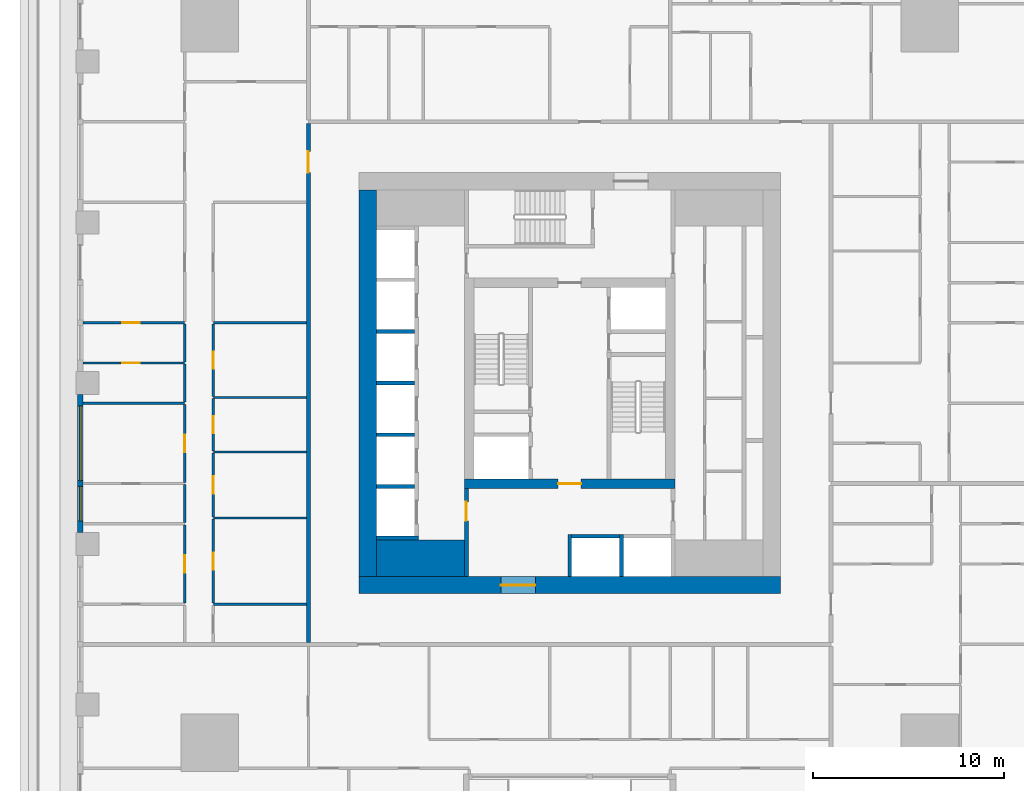
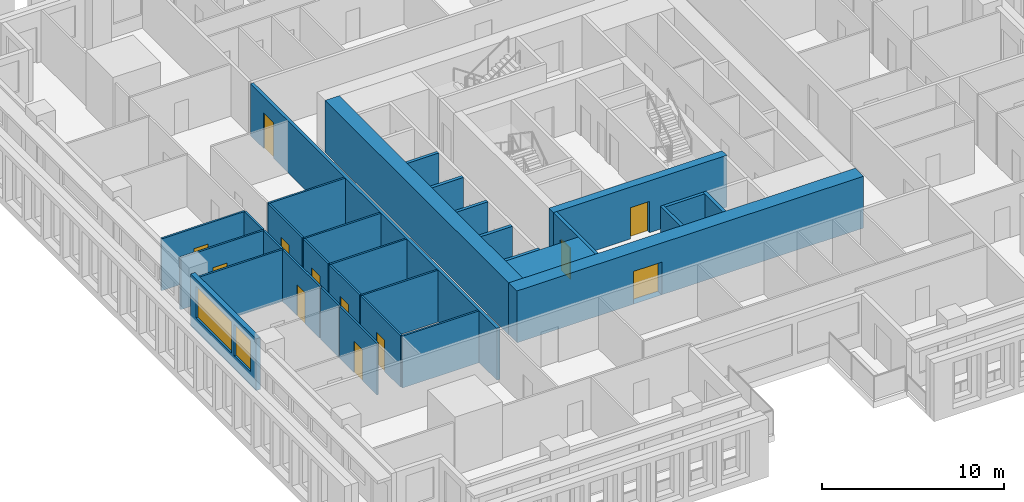
# One storey, part 3 of 15: 32 walls, 12 doors, 2 windows, 14 openings.
"""IFC4 building model written with IfcOpenShell, lengths in metres."""

import ifcopenshell
import ifcopenshell.guid

model = None  # the IFC model being written
_history = None  # IfcOwnerHistory: only IFC2X3 demands one
_inside = {}  # id of a spatial element -> (the spatial element, [elements in it])
_under = {}  # id of a project, library or spatial element -> (it, [spatial elements below it])
_declared = {}  # id of a project -> (the project, [libraries it declares])
_typed = {}  # id of a type object -> (the type object, [elements of that type])
_made_of = {}  # id of a material, layer set ... -> (it, [elements and type objects made of it])


def new_model(schema):
    """Start an empty IFC model of exactly this schema.

    Asked for "IFC4X3", IfcOpenShell would pick the latest addendum, in which some entities
    have other attributes; the version numbers below select the first issue.
    IFC2X3 requires an IfcOwnerHistory on every rooted entity: one is made here for all.
    """
    global model, _history
    if schema == "IFC4X3":
        model = ifcopenshell.file(schema_version=(4, 3, 0, 0))
    else:
        model = ifcopenshell.file(schema=schema)
    _inside.clear()
    _under.clear()
    _declared.clear()
    _typed.clear()
    _made_of.clear()
    _history = None
    if model.schema == "IFC2X3":
        org = make("IfcOrganization", Name="unknown")
        user = make(
            "IfcPersonAndOrganization",
            ThePerson=make("IfcPerson", FamilyName="unknown"),
            TheOrganization=org,
        )
        app = make(
            "IfcApplication",
            ApplicationDeveloper=org,
            Version="unknown",
            ApplicationFullName="unknown",
            ApplicationIdentifier="unknown",
        )
        _history = make(
            "IfcOwnerHistory",
            OwningUser=user,
            OwningApplication=app,
            ChangeAction="ADDED",
            CreationDate=0,
        )
    return model


def make(cls, **values):
    """One entity of the class cls with the attributes given. An attribute that is None is left unset."""
    return model.create_entity(
        cls, **{name: value for name, value in values.items() if value is not None}
    )


def rooted(cls, **values):
    """An entity with a GlobalId (a new one), such as an element, a storey or a relation."""
    return make(cls, GlobalId=ifcopenshell.guid.new(), OwnerHistory=_history, **values)


def si_unit(unit_type, name, prefix=None):
    """IfcSIUnit, for example si_unit("LENGTHUNIT", "METRE", prefix="MILLI")."""
    return make("IfcSIUnit", UnitType=unit_type, Prefix=prefix, Name=name)


def assignment(units):
    """IfcUnitAssignment: the units of a project."""
    return None if units is None else make("IfcUnitAssignment", Units=units)


def point(xyz):
    """IfcCartesianPoint."""
    return None if xyz is None else make("IfcCartesianPoint", Coordinates=xyz)


def direction(xyz):
    """IfcDirection."""
    return None if xyz is None else make("IfcDirection", DirectionRatios=xyz)


def frame(location, z_axis=None, x_axis=None):
    """IfcAxis2Placement3D, a coordinate frame: its origin and axes. An axis left out is left unset."""
    return make(
        "IfcAxis2Placement3D",
        Location=point(location),
        Axis=direction(z_axis),
        RefDirection=direction(x_axis),
    )


def frame_2d(location, x_axis=None):
    """IfcAxis2Placement2D, a coordinate frame in the plane: its origin and x axis."""
    return make(
        "IfcAxis2Placement2D", Location=point(location), RefDirection=direction(x_axis)
    )


def origin():
    """The frame at (0, 0, 0) with its axes left unset."""
    return frame((0.0, 0.0, 0.0))


def place(relative_to, where):
    """IfcLocalPlacement: puts the frame where relative to a parent placement (None: the world)."""
    return make(
        "IfcLocalPlacement", PlacementRelTo=relative_to, RelativePlacement=where
    )


def context(
    kind, dimensions, precision=None, world=None, true_north=None, identifier=None
):
    """IfcGeometricRepresentationContext, for example the 3D "Model" context."""
    return make(
        "IfcGeometricRepresentationContext",
        ContextIdentifier=identifier,
        ContextType=kind,
        CoordinateSpaceDimension=dimensions,
        Precision=precision,
        WorldCoordinateSystem=world,
        TrueNorth=true_north,
    )


def subcontext(parent, identifier, kind, view, scale=None):
    """IfcGeometricRepresentationSubContext, for example "Body" below "Model"."""
    return make(
        "IfcGeometricRepresentationSubContext",
        ContextIdentifier=identifier,
        ContextType=kind,
        ParentContext=parent,
        TargetScale=scale,
        TargetView=view,
    )


def project(units=None, contexts=None):
    """IfcProject with its units and contexts."""
    return rooted(
        "IfcProject",
        Name="project",
        RepresentationContexts=contexts,
        UnitsInContext=assignment(units),
    )


def spatial(cls, under=None, at=None, **own):
    """A site, building, storey or space (cls), placed at a placement, below another one or the project."""
    s = rooted(cls, ObjectPlacement=at, **own)
    if under is not None:
        _under.setdefault(under.id(), (under, []))[1].append(s)
    return s


def profile(cls, at=None, kind="AREA", **sizes):
    """A parametric profile (cls). Its sizes go by their IFC names, for example OverallWidth=200.0."""
    return make(cls, ProfileType=kind, Position=at, **sizes)


def rectangle(**sizes):
    """IfcRectangleProfileDef."""
    return profile("IfcRectangleProfileDef", **sizes)


def extrude(swept, where, along, depth):
    """IfcExtrudedAreaSolid: the profile swept, set in the frame where, extruded along a direction by depth."""
    return make(
        "IfcExtrudedAreaSolid",
        SweptArea=swept,
        Position=where,
        ExtrudedDirection=direction(along),
        Depth=depth,
    )


def shape(context_of_items, identifier, shape_type, items):
    """IfcShapeRepresentation: the items that make up one representation, for example the "Body"."""
    return make(
        "IfcShapeRepresentation",
        ContextOfItems=context_of_items,
        RepresentationIdentifier=identifier,
        RepresentationType=shape_type,
        Items=items,
    )


def material(Name=None, Category=None):
    """IfcMaterial."""
    return make("IfcMaterial", Name=Name, Category=Category)


def layer(
    of_material, thickness, ventilated=None, Name=None, Category=None, Priority=None
):
    """IfcMaterialLayer: one layer of a wall or slab, of a material (None: an air gap)."""
    return make(
        "IfcMaterialLayer",
        Material=of_material,
        LayerThickness=thickness,
        IsVentilated=ventilated,
        Name=Name,
        Category=Category,
        Priority=Priority,
    )


def layer_set(layers, Name=None):
    """IfcMaterialLayerSet."""
    return make("IfcMaterialLayerSet", MaterialLayers=layers, LayerSetName=Name)


def made_of(thing, what):
    """Note that an element or type object is made of a material, layer set ...; save() writes the relation."""
    if what is not None:
        _made_of.setdefault(what.id(), (what, []))[1].append(thing)
    return thing


def type_object(cls, material=None, **own):
    """A type object (cls), such as IfcWallType, which elements share."""
    return made_of(rooted(cls, **own), material)


def element(
    cls,
    number,
    at=None,
    inside=None,
    cuts=None,
    type_object=None,
    material=None,
    context=None,
    identifier="Body",
    shape_type=None,
    held_by="IfcProductDefinitionShape",
    body=None,
    shapes=None,
    **own,
):
    """One element of the class cls, such as IfcWall. Its Tag is "e" and its number.

    at: its placement. inside: the storey or other place that contains it. cuts: it is an
    opening in that element (IfcRelVoidsElement). A single representation is given by context,
    identifier, shape_type and body (its items); several are given by shapes. held_by: the class
    of the entity that holds the representations. save() writes the other relations.
    """
    e = rooted(cls, Tag="e%d" % number, ObjectPlacement=at, **own)
    if body is not None:
        shapes = [shape(context, identifier, shape_type, body)]
    if shapes is not None:
        e.Representation = make(held_by, Representations=shapes)
    if inside is not None:
        _inside.setdefault(inside.id(), (inside, []))[1].append(e)
    if cuts is not None:
        rooted(
            "IfcRelVoidsElement", RelatingBuildingElement=cuts, RelatedOpeningElement=e
        )
    if type_object is not None:
        _typed.setdefault(type_object.id(), (type_object, []))[1].append(e)
    return made_of(e, material)


def fill(opening, filler):
    """IfcRelFillsElement: the door or window that sits in an opening."""
    return rooted(
        "IfcRelFillsElement",
        RelatingOpeningElement=opening,
        RelatedBuildingElement=filler,
    )


def aggregate(whole, parts):
    """IfcRelAggregates: a whole, such as a stair, and the parts it consists of."""
    return rooted("IfcRelAggregates", RelatingObject=whole, RelatedObjects=parts)


def save(model, path):
    """Write the relations noted so far, then the file.

    IfcRelAggregates (storeys below a building ...), IfcRelContainedInSpatialStructure (elements
    in a storey), IfcRelDefinesByType, IfcRelAssociatesMaterial and IfcRelDeclares: one each for
    every whole, place, type object, material and project.
    """
    for whole, parts in _under.values():
        aggregate(whole, parts)
    for where, things in _inside.values():
        rooted(
            "IfcRelContainedInSpatialStructure",
            RelatedElements=things,
            RelatingStructure=where,
        )
    for kind, things in _typed.values():
        rooted("IfcRelDefinesByType", RelatedObjects=things, RelatingType=kind)
    for what, things in _made_of.values():
        rooted("IfcRelAssociatesMaterial", RelatedObjects=things, RelatingMaterial=what)
    for by, libraries in _declared.values():
        rooted("IfcRelDeclares", RelatingContext=by, RelatedDefinitions=libraries)
    model.write(path)


model = new_model("IFC4")

# Units and contexts
model_context = context("Model", 3, precision=1e-05, world=origin(), true_north=direction((0.0, 1.0)))
body_context = subcontext(model_context, "Body", "Model", "MODEL_VIEW")
ifc_project = project(units=[si_unit("LENGTHUNIT", "METRE"), si_unit("AREAUNIT", "SQUARE_METRE"), si_unit("VOLUMEUNIT", "CUBIC_METRE"), si_unit("PLANEANGLEUNIT", "RADIAN"), si_unit("MASSUNIT", "GRAM", prefix="KILO")], contexts=[model_context])

# Site, building, storey
site_placement = place(None, origin())
site = spatial("IfcSite", under=ifc_project, at=site_placement, CompositionType="ELEMENT")
building_placement = place(site_placement, origin())
building = spatial("IfcBuilding", under=site, at=building_placement, Name="Khepri Terraces", CompositionType="ELEMENT")
storey_placement = place(building_placement, frame((0.0, 0.0, 34.800048828125)))
storey = spatial("IfcBuildingStorey", under=building, at=storey_placement, Name="L07", CompositionType="ELEMENT", Elevation=34.800048828125)

# Walls
ifc_material_1 = material(Name="Concrete C80/95", Category="concrete")
ifc_layer_1 = layer(ifc_material_1, 1.89990234375, Name="Concrete C80/95", Category="concrete")
ifc_layer_set_1 = layer_set([ifc_layer_1], Name="Concrete C80/95")
wall_type_1 = type_object("IfcWallType", Name="Core wall 1900 C80/95", PredefinedType="SHEAR", material=ifc_layer_set_1)
wall_1_placement = place(storey_placement, frame((-10.10009765625, -9.14990234375, 0.0), z_axis=(0.0, 0.0, 1.0), x_axis=(1.0, 0.0, 0.0)))
element("IfcWall", 1, at=wall_1_placement, inside=storey, type_object=wall_type_1, Name="Core wall PR01 L07", PredefinedType="SHEAR", context=body_context, shape_type="SweptSolid", body=[
    extrude(rectangle(XDim=4.60009765625, YDim=1.89990234375, at=frame_2d((2.300048828125, 0.0))), origin(), (0.0, 0.0, 1.0), 3.47998046875),
])
ifc_layer_2 = layer(ifc_material_1, 0.199951171875, Name="Concrete C80/95", Category="concrete")
ifc_layer_set_2 = layer_set([ifc_layer_2], Name="Concrete C80/95")
wall_type_2 = type_object("IfcWallType", Name="Core wall 200 C80/95", PredefinedType="SHEAR", material=ifc_layer_set_2)
for number, where, z_axis, x_axis, name in (
    (2, (0.0, -10.10009765625, 0.0), (0.0, 0.0, 1.0), (0.0, 1.0, 0.0), "Core wall SH01 L07"),
    (3, (2.699951171875, -10.10009765625, 0.0), (0.0, 0.0, 1.0), (0.0, 1.0, 0.0), "Core wall SH02 L07"),
    (4, (-10.10009765625, -8.10009765625, 0.0), (0.0, 0.0, 1.0), (1.0, 0.0, 0.0), "Core wall SH04 L07"),
):
    element("IfcWall", number, at=place(storey_placement, frame(where, z_axis=z_axis, x_axis=x_axis)), inside=storey, type_object=wall_type_2, Name=name, PredefinedType="SHEAR", context=body_context, shape_type="SweptSolid", body=[
        extrude(rectangle(XDim=2.2001953125, YDim=0.199951171875, at=frame_2d((1.10009765625, 0.0))), origin(), (0.0, 0.0, 1.0), 3.47998046875),
    ])
wall_2_placement = place(storey_placement, frame((0.10009765625, -8.0, 0.0), z_axis=(0.0, 0.0, 1.0), x_axis=(1.0, 0.0, 0.0)))
element("IfcWall", 5, at=wall_2_placement, inside=storey, type_object=wall_type_2, Name="Core wall SH06 L07", PredefinedType="SHEAR", context=body_context, shape_type="SweptSolid", body=[
    extrude(rectangle(XDim=2.5, YDim=0.199951171875, at=frame_2d((1.25, 0.0))), origin(), (0.0, 0.0, 1.0), 3.47998046875),
])
for number, where, z_axis, x_axis, name in (
    (6, (-10.10009765625, -5.39990234375, 0.0), (0.0, 0.0, 1.0), (1.0, 0.0, 0.0), "Core wall SH09 L07"),
    (7, (-10.10009765625, -2.699951171875, 0.0), (0.0, 0.0, 1.0), (1.0, 0.0, 0.0), "Core wall SH12 L07"),
    (8, (-10.10009765625, 0.0, 0.0), (0.0, 0.0, 1.0), (1.0, 0.0, 0.0), "Core wall SH14 L07"),
    (9, (-10.10009765625, 2.699951171875, 0.0), (0.0, 0.0, 1.0), (1.0, 0.0, 0.0), "Core wall SH17 L07"),
):
    element("IfcWall", number, at=place(storey_placement, frame(where, z_axis=z_axis, x_axis=x_axis)), inside=storey, type_object=wall_type_2, Name=name, PredefinedType="SHEAR", context=body_context, shape_type="SweptSolid", body=[
        extrude(rectangle(XDim=2.0, YDim=0.199951171875, at=frame_2d((1.0, 0.0))), origin(), (0.0, 0.0, 1.0), 3.47998046875),
    ])

# Wall, opening, door
ifc_layer_3 = layer(ifc_material_1, 0.5, Name="Concrete C80/95", Category="concrete")
ifc_layer_set_3 = layer_set([ifc_layer_3], Name="Concrete C80/95")
wall_type_3 = type_object("IfcWallType", Name="Core wall 500 C80/95", PredefinedType="SHEAR", material=ifc_layer_set_3)
wall_3_placement = place(storey_placement, frame((-5.5, -5.25, 0.0), z_axis=(0.0, 0.0, 1.0), x_axis=(1.0, 0.0, 0.0)))
wall_3 = element("IfcWall", 10, at=wall_3_placement, inside=storey, type_object=wall_type_3, Name="Core wall BX01 L07", PredefinedType="SHEAR", context=body_context, shape_type="SweptSolid", body=[
    extrude(rectangle(XDim=11.0, YDim=0.5, at=frame_2d((5.5, 0.0))), origin(), (0.0, 0.0, 1.0), 3.47998046875),
])
opening_1_placement = place(wall_3_placement, frame((4.89990234375, 0.0, 0.0)))
opening_1 = element("IfcOpeningElement", 11, at=opening_1_placement, cuts=wall_3, Name="Opening L07-C14", PredefinedType="OPENING", context=body_context, shape_type="SweptSolid", body=[
    extrude(rectangle(XDim=1.199951171875, YDim=2.10009765625, at=frame_2d((0.60009765625, 1.050048828125))), frame((0.0, 0.260009765625, 0.0), z_axis=(0.0, -1.0, 0.0), x_axis=(1.0, 0.0, 0.0)), (0.0, 0.0, 1.0), 0.52001953125),
])
ifc_material_2 = material(Name="Painted steel", Category="steel")
door_type_1 = type_object("IfcDoorType", Name="DR-CORE-FF-LOBBY-1200", OperationType="NOTDEFINED", PredefinedType="DOOR", material=ifc_material_2)
door_1_placement = place(opening_1_placement, origin())
door_1 = element("IfcDoor", 12, at=door_1_placement, inside=storey, type_object=door_type_1, Name="Firefighting lobby door L07-C14", OperationType="SINGLE_SWING_RIGHT", OverallHeight=2.10009765625, OverallWidth=1.199951171875, PredefinedType="DOOR", context=body_context, shape_type="SweptSolid", body=[
    extrude(rectangle(XDim=1.199951171875, YDim=2.10009765625, at=frame_2d((0.60009765625, 1.050048828125))), frame((0.0, 0.02490234375, 0.0), z_axis=(0.0, -1.0, 0.0), x_axis=(1.0, 0.0, 0.0)), (0.0, 0.0, 1.0), 0.050048828125),
])
fill(opening_1, door_1)

ifc_layer_4 = layer(ifc_material_1, 0.89990234375, Name="Concrete C80/95", Category="concrete")
ifc_layer_set_4 = layer_set([ifc_layer_4], Name="Concrete C80/95")
wall_type_4 = type_object("IfcWallType", Name="Core wall 900 C80/95", PredefinedType="SHEAR", material=ifc_layer_set_4)
wall_4_placement = place(storey_placement, frame((-11.0, -10.550048828125, 0.0), z_axis=(0.0, 0.0, 1.0), x_axis=(1.0, 0.0, 0.0)))
wall_4 = element("IfcWall", 13, at=wall_4_placement, inside=storey, type_object=wall_type_4, Name="Core wall OW-S L07", PredefinedType="SHEAR", context=body_context, shape_type="SweptSolid", body=[
    extrude(rectangle(XDim=22.0, YDim=0.89990234375, at=frame_2d((11.0, 0.0))), origin(), (0.0, 0.0, 1.0), 3.47998046875),
])
opening_2_placement = place(wall_4_placement, frame((7.39990234375, 0.0, 0.0)))
opening_2 = element("IfcOpeningElement", 14, at=opening_2_placement, cuts=wall_4, Name="Opening L07-C21", PredefinedType="OPENING", context=body_context, shape_type="SweptSolid", body=[
    extrude(rectangle(XDim=1.800048828125, YDim=2.199951171875, at=frame_2d((0.89990234375, 1.10009765625))), frame((0.0, 0.4599609375, 0.0), z_axis=(0.0, -1.0, 0.0), x_axis=(1.0, 0.0, 0.0)), (0.0, 0.0, 1.0), 0.919921875),
])
door_type_2 = type_object("IfcDoorType", Name="DR-CORE-ENTRANCE-1800", OperationType="NOTDEFINED", PredefinedType="DOOR", material=ifc_material_2)
door_2_placement = place(opening_2_placement, frame((1.800048828125, 0.0, 0.0), z_axis=(0.0, 0.0, 1.0), x_axis=(-1.0, 0.0, 0.0)))
door_2 = element("IfcDoor", 15, at=door_2_placement, inside=storey, type_object=door_type_2, Name="Core entrance door pair L07-C21", OperationType="DOUBLE_DOOR_SINGLE_SWING", OverallHeight=2.199951171875, OverallWidth=1.800048828125, PredefinedType="DOOR", context=body_context, shape_type="SweptSolid", body=[
    extrude(rectangle(XDim=1.800048828125, YDim=2.199951171875, at=frame_2d((0.89990234375, 1.10009765625))), frame((0.0, 0.02490234375, 0.0), z_axis=(0.0, -1.0, 0.0), x_axis=(1.0, 0.0, 0.0)), (0.0, 0.0, 1.0), 0.050048828125),
])
fill(opening_2, door_2)

# Wall
wall_5_placement = place(storey_placement, frame((-10.550048828125, -10.10009765625, 0.0), z_axis=(0.0, 0.0, 1.0), x_axis=(0.0, 1.0, 0.0)))
element("IfcWall", 16, at=wall_5_placement, inside=storey, type_object=wall_type_4, Name="Core wall OW-W L07", PredefinedType="SHEAR", context=body_context, shape_type="SweptSolid", body=[
    extrude(rectangle(XDim=20.2001953125, YDim=0.89990234375, at=frame_2d((10.10009765625, 0.0))), origin(), (0.0, 0.0, 1.0), 3.47998046875),
])

# Wall, opening, door
ifc_material_3 = material(Name="Fire-rated gypsum board partition")
ifc_layer_5 = layer(ifc_material_3, 0.199951171875, Name="Fire-rated gypsum board partition")
ifc_layer_set_5 = layer_set([ifc_layer_5], Name="Fire-rated gypsum board partition")
wall_type_5 = type_object("IfcWallType", Name="WL-CORE-PART-200", PredefinedType="PARTITIONING", material=ifc_layer_set_5)
wall_6_placement = place(storey_placement, frame((-5.39990234375, -10.10009765625, 0.0), z_axis=(0.0, 0.0, 1.0), x_axis=(0.0, 1.0, 0.0)))
wall_6 = element("IfcWall", 17, at=wall_6_placement, inside=storey, type_object=wall_type_5, Name="Core partition PT01 L07", PredefinedType="PARTITIONING", context=body_context, shape_type="SweptSolid", body=[
    extrude(rectangle(XDim=4.60009765625, YDim=0.199951171875, at=frame_2d((2.300048828125, 0.0))), origin(), (0.0, 0.0, 1.0), 3.47998046875),
])
opening_3_placement = place(wall_6_placement, frame((2.89990234375, 0.0, 0.0)))
opening_3 = element("IfcOpeningElement", 18, at=opening_3_placement, cuts=wall_6, Name="Opening L07-C18", PredefinedType="OPENING", context=body_context, shape_type="SweptSolid", body=[
    extrude(rectangle(XDim=1.0, YDim=2.10009765625, at=frame_2d((0.5, 1.050048828125))), frame((0.0, 0.10986328125, 0.0), z_axis=(0.0, -1.0, 0.0), x_axis=(1.0, 0.0, 0.0)), (0.0, 0.0, 1.0), 0.219970703125),
])
door_type_3 = type_object("IfcDoorType", Name="DR-CORE-LOBBY-1000", OperationType="NOTDEFINED", PredefinedType="DOOR", material=ifc_material_2)
door_3_placement = place(opening_3_placement, frame((1.0, 0.0, 0.0), z_axis=(0.0, 0.0, 1.0), x_axis=(-1.0, 0.0, 0.0)))
door_3 = element("IfcDoor", 19, at=door_3_placement, inside=storey, type_object=door_type_3, Name="Lobby door L07-C18", OperationType="SINGLE_SWING_LEFT", OverallHeight=2.10009765625, OverallWidth=1.0, PredefinedType="DOOR", context=body_context, shape_type="SweptSolid", body=[
    extrude(rectangle(XDim=1.0, YDim=2.10009765625, at=frame_2d((0.5, 1.050048828125))), frame((0.0, 0.02490234375, 0.0), z_axis=(0.0, -1.0, 0.0), x_axis=(1.0, 0.0, 0.0)), (0.0, 0.0, 1.0), 0.050048828125),
])
fill(opening_3, door_3)

ifc_material_4 = material(Name="Fire-rated gypsum plasterboard partition, mineral wool")
ifc_layer_6 = layer(ifc_material_4, 0.199951171875, Name="Fire-rated gypsum plasterboard partition, mineral wool")
ifc_layer_set_6 = layer_set([ifc_layer_6], Name="Fire-rated gypsum plasterboard partition, mineral wool")
wall_type_6 = type_object("IfcWallType", Name="WL-CORR-200", PredefinedType="PARTITIONING", material=ifc_layer_set_6)
wall_7_placement = place(storey_placement, frame((-13.64990234375, -13.550048828125, 0.0), z_axis=(0.0, 0.0, 1.0), x_axis=(0.0, 1.0, 0.0)))
wall_7 = element("IfcWall", 20, at=wall_7_placement, inside=storey, type_object=wall_type_6, Name="Partition P-024 L07", PredefinedType="PARTITIONING", context=body_context, shape_type="SweptSolid", body=[
    extrude(rectangle(XDim=27.10009765625, YDim=0.199951171875, at=frame_2d((13.550048828125, 0.0))), origin(), (0.0, 0.0, 1.0), 3.47998046875),
])
opening_4_placement = place(wall_7_placement, frame((24.550048828125, 0.0, 0.0)))
opening_4 = element("IfcOpeningElement", 21, at=opening_4_placement, cuts=wall_7, Name="Opening D1", PredefinedType="OPENING", context=body_context, shape_type="SweptSolid", body=[
    extrude(rectangle(XDim=1.10009765625, YDim=2.39990234375, at=frame_2d((0.550048828125, 1.199951171875))), frame((0.0, 0.10986328125, 0.0), z_axis=(0.0, -1.0, 0.0), x_axis=(1.0, 0.0, 0.0)), (0.0, 0.0, 1.0), 0.219970703125),
])
ifc_material_5 = material(Name="Solid-core timber door leaf, flat entrance door", Category="wood")
door_type_4 = type_object("IfcDoorType", Name="DR-ENT-1100", OperationType="NOTDEFINED", PredefinedType="DOOR", material=ifc_material_5)
door_4_placement = place(opening_4_placement, origin())
door_4 = element("IfcDoor", 22, at=door_4_placement, inside=storey, type_object=door_type_4, Name="Flat D1 entrance door", OperationType="SINGLE_SWING_RIGHT", OverallHeight=2.39990234375, OverallWidth=1.10009765625, PredefinedType="DOOR", context=body_context, shape_type="SweptSolid", body=[
    extrude(rectangle(XDim=1.10009765625, YDim=2.39990234375, at=frame_2d((0.550048828125, 1.199951171875))), frame((0.0, 0.02490234375, 0.0), z_axis=(0.0, -1.0, 0.0), x_axis=(1.0, 0.0, 0.0)), (0.0, 0.0, 1.0), 0.050048828125),
])
fill(opening_4, door_4)

# Wall, openings, windows
ifc_material_6 = material(Name="Precast concrete C50/60 warm stone", Category="masonry")
ifc_layer_7 = layer(ifc_material_6, 0.300048828125, Name="Precast concrete C50/60 warm stone", Category="masonry")
ifc_layer_set_7 = layer_set([ifc_layer_7], Name="Precast concrete C50/60 warm stone")
wall_type_7 = type_object("IfcWallType", Name="WL-EXT-PRECAST-300", PredefinedType="STANDARD", material=ifc_layer_set_7)
wall_8_placement = place(storey_placement, frame((-25.570068359375, -0.60009765625, 0.0), z_axis=(0.0, 0.0, 1.0), x_axis=(0.0, -1.0, 0.0)))
wall_8 = element("IfcWall", 23, at=wall_8_placement, inside=storey, type_object=wall_type_7, Name="External wall L07 W", PredefinedType="STANDARD", context=body_context, shape_type="SweptSolid", body=[
    extrude(rectangle(XDim=7.199951171875, YDim=0.300048828125, at=frame_2d((3.60009765625, 0.0))), origin(), (0.0, 0.0, 1.0), 3.47998046875),
])
opening_5_placement = place(wall_8_placement, frame((0.60009765625, 0.0, 0.89990234375)))
opening_5 = element("IfcOpeningElement", 24, at=opening_5_placement, cuts=wall_8, Name="Opening W2", PredefinedType="OPENING", context=body_context, shape_type="SweptSolid", body=[
    extrude(rectangle(XDim=3.89990234375, YDim=2.10009765625, at=frame_2d((1.949951171875, 1.050048828125))), frame((0.0, 0.16015625, 0.0), z_axis=(0.0, -1.0, 0.0), x_axis=(1.0, 0.0, 0.0)), (0.0, 0.0, 1.0), 0.320068359375),
])
opening_6_placement = place(wall_8_placement, frame((4.800048828125, 0.0, 0.89990234375)))
opening_6 = element("IfcOpeningElement", 25, at=opening_6_placement, cuts=wall_8, Name="Opening W1", PredefinedType="OPENING", context=body_context, shape_type="SweptSolid", body=[
    extrude(rectangle(XDim=1.800048828125, YDim=2.10009765625, at=frame_2d((0.89990234375, 1.050048828125))), frame((0.0, 0.16015625, 0.0), z_axis=(0.0, -1.0, 0.0), x_axis=(1.0, 0.0, 0.0)), (0.0, 0.0, 1.0), 0.320068359375),
])
ifc_material_7 = material(Name="Clear glass", Category="glass")
window_type_1 = type_object("IfcWindowType", Name="WIN-RES-1800x2100", PartitioningType="SINGLE_PANEL", PredefinedType="WINDOW", material=ifc_material_7)
window_1_placement = place(opening_6_placement, origin())
window_1 = element("IfcWindow", 26, at=window_1_placement, inside=storey, type_object=window_type_1, Name="Window L07 W", OverallHeight=2.10009765625, OverallWidth=1.800048828125, PartitioningType="SINGLE_PANEL", PredefinedType="WINDOW", context=body_context, shape_type="SweptSolid", body=[
    extrude(rectangle(XDim=1.800048828125, YDim=2.10009765625, at=frame_2d((0.89990234375, 1.050048828125))), frame((0.0, 0.030029296875, 0.0), z_axis=(0.0, -1.0, 0.0), x_axis=(1.0, 0.0, 0.0)), (0.0, 0.0, 1.0), 0.06005859375),
])
fill(opening_6, window_1)
window_type_2 = type_object("IfcWindowType", Name="WIN-RES-3900x2100", PartitioningType="SINGLE_PANEL", PredefinedType="WINDOW", material=ifc_material_7)
window_2_placement = place(opening_5_placement, origin())
window_2 = element("IfcWindow", 27, at=window_2_placement, inside=storey, type_object=window_type_2, Name="Window L07 W", OverallHeight=2.10009765625, OverallWidth=3.89990234375, PartitioningType="SINGLE_PANEL", PredefinedType="WINDOW", context=body_context, shape_type="SweptSolid", body=[
    extrude(rectangle(XDim=3.89990234375, YDim=2.10009765625, at=frame_2d((1.949951171875, 1.050048828125))), frame((0.0, 0.030029296875, 0.0), z_axis=(0.0, -1.0, 0.0), x_axis=(1.0, 0.0, 0.0)), (0.0, 0.0, 1.0), 0.06005859375),
])
fill(opening_5, window_2)

# Wall
ifc_material_8 = material(Name="Gypsum plasterboard partition")
ifc_layer_8 = layer(ifc_material_8, 0.1201171875, Name="Gypsum plasterboard partition")
ifc_layer_set_8 = layer_set([ifc_layer_8], Name="Gypsum plasterboard partition")
wall_type_8 = type_object("IfcWallType", Name="WL-PART-120", PredefinedType="PARTITIONING", material=ifc_layer_set_8)
wall_9_placement = place(storey_placement, frame((-18.6201171875, -11.550048828125, 0.0), z_axis=(0.0, 0.0, 1.0), x_axis=(1.0, 0.0, 0.0)))
element("IfcWall", 28, at=wall_9_placement, inside=storey, type_object=wall_type_8, Name="Partition P-027 L07", PredefinedType="PARTITIONING", context=body_context, shape_type="SweptSolid", body=[
    extrude(rectangle(XDim=4.8701171875, YDim=0.1201171875, at=frame_2d((2.43505859375, 0.0))), origin(), (0.0, 0.0, 1.0), 3.47998046875),
])

# Wall, opening, door
wall_10_placement = place(storey_placement, frame((-20.1201171875, -11.489990234375, 0.0), z_axis=(0.0, 0.0, 1.0), x_axis=(0.0, 1.0, 0.0)))
wall_10 = element("IfcWall", 29, at=wall_10_placement, inside=storey, type_object=wall_type_8, Name="Partition P-028 L07", PredefinedType="PARTITIONING", context=body_context, shape_type="SweptSolid", body=[
    extrude(rectangle(XDim=4.080078125, YDim=0.1201171875, at=frame_2d((2.0400390625, 0.0))), origin(), (0.0, 0.0, 1.0), 3.47998046875),
])
opening_7_placement = place(wall_10_placement, frame((1.590087890625, 0.0, 0.0)))
opening_7 = element("IfcOpeningElement", 30, at=opening_7_placement, cuts=wall_10, Name="Opening D3", PredefinedType="OPENING", context=body_context, shape_type="SweptSolid", body=[
    extrude(rectangle(XDim=0.89990234375, YDim=2.10009765625, at=frame_2d((0.449951171875, 1.050048828125))), frame((0.0, 0.070068359375, 0.0), z_axis=(0.0, -1.0, 0.0), x_axis=(1.0, 0.0, 0.0)), (0.0, 0.0, 1.0), 0.14013671875),
])
ifc_material_9 = material(Name="Timber door leaf", Category="wood")
door_type_5 = type_object("IfcDoorType", Name="DR-INT-900", OperationType="NOTDEFINED", PredefinedType="DOOR", material=ifc_material_9)
door_5_placement = place(opening_7_placement, origin())
door_5 = element("IfcDoor", 31, at=door_5_placement, inside=storey, type_object=door_type_5, Name="Door Bedroom", OperationType="SINGLE_SWING_RIGHT", OverallHeight=2.10009765625, OverallWidth=0.89990234375, PredefinedType="DOOR", context=body_context, shape_type="SweptSolid", body=[
    extrude(rectangle(XDim=0.89990234375, YDim=2.10009765625, at=frame_2d((0.449951171875, 1.050048828125))), frame((0.0, 0.02490234375, 0.0), z_axis=(0.0, -1.0, 0.0), x_axis=(1.0, 0.0, 0.0)), (0.0, 0.0, 1.0), 0.050048828125),
])
fill(opening_7, door_5)

wall_11_placement = place(storey_placement, frame((-18.6201171875, -11.489990234375, 0.0), z_axis=(0.0, 0.0, 1.0), x_axis=(0.0, 1.0, 0.0)))
wall_11 = element("IfcWall", 32, at=wall_11_placement, inside=storey, type_object=wall_type_8, Name="Partition P-029 L07", PredefinedType="PARTITIONING", context=body_context, shape_type="SweptSolid", body=[
    extrude(rectangle(XDim=4.3798828125, YDim=0.1201171875, at=frame_2d((2.18994140625, 0.0))), origin(), (0.0, 0.0, 1.0), 3.47998046875),
])
opening_8_placement = place(wall_11_placement, frame((1.739990234375, 0.0, 0.0)))
opening_8 = element("IfcOpeningElement", 33, at=opening_8_placement, cuts=wall_11, Name="Opening D4", PredefinedType="OPENING", context=body_context, shape_type="SweptSolid", body=[
    extrude(rectangle(XDim=0.89990234375, YDim=2.10009765625, at=frame_2d((0.449951171875, 1.050048828125))), frame((0.0, 0.070068359375, 0.0), z_axis=(0.0, -1.0, 0.0), x_axis=(1.0, 0.0, 0.0)), (0.0, 0.0, 1.0), 0.14013671875),
])
ifc_material_10 = material(Name="Timber door leaf, moisture resistant", Category="wood")
door_type_6 = type_object("IfcDoorType", Name="DR-WET-900", OperationType="NOTDEFINED", PredefinedType="DOOR", material=ifc_material_10)
door_6_placement = place(opening_8_placement, frame((0.89990234375, 0.0, 0.0), z_axis=(0.0, 0.0, 1.0), x_axis=(-1.0, 0.0, 0.0)))
door_6 = element("IfcDoor", 34, at=door_6_placement, inside=storey, type_object=door_type_6, Name="Door Guest Bathroom", OperationType="SINGLE_SWING_RIGHT", OverallHeight=2.10009765625, OverallWidth=0.89990234375, PredefinedType="DOOR", context=body_context, shape_type="SweptSolid", body=[
    extrude(rectangle(XDim=0.89990234375, YDim=2.10009765625, at=frame_2d((0.449951171875, 1.050048828125))), frame((0.0, 0.02490234375, 0.0), z_axis=(0.0, -1.0, 0.0), x_axis=(1.0, 0.0, 0.0)), (0.0, 0.0, 1.0), 0.050048828125),
])
fill(opening_8, door_6)

# Walls
wall_12_placement = place(storey_placement, frame((-20.1201171875, -7.2900390625, 0.0), z_axis=(0.0, 0.0, 1.0), x_axis=(0.0, 1.0, 0.0)))
element("IfcWall", 35, at=wall_12_placement, inside=storey, type_object=wall_type_8, Name="Partition P-037 L07", PredefinedType="PARTITIONING", context=body_context, shape_type="SweptSolid", body=[
    extrude(rectangle(XDim=1.97998046875, YDim=0.1201171875, at=frame_2d((0.989990234375, 0.0))), origin(), (0.0, 0.0, 1.0), 3.47998046875),
])
wall_13_placement = place(storey_placement, frame((-18.6201171875, -7.050048828125, 0.0), z_axis=(0.0, 0.0, 1.0), x_axis=(1.0, 0.0, 0.0)))
element("IfcWall", 36, at=wall_13_placement, inside=storey, type_object=wall_type_8, Name="Partition P-040 L07", PredefinedType="PARTITIONING", context=body_context, shape_type="SweptSolid", body=[
    extrude(rectangle(XDim=4.8701171875, YDim=0.1201171875, at=frame_2d((2.43505859375, 0.0))), origin(), (0.0, 0.0, 1.0), 3.47998046875),
])

# Wall, opening, door
wall_14_placement = place(storey_placement, frame((-18.6201171875, -6.989990234375, 0.0), z_axis=(0.0, 0.0, 1.0), x_axis=(0.0, 1.0, 0.0)))
wall_14 = element("IfcWall", 37, at=wall_14_placement, inside=storey, type_object=wall_type_8, Name="Partition P-041 L07", PredefinedType="PARTITIONING", context=body_context, shape_type="SweptSolid", body=[
    extrude(rectangle(XDim=3.330078125, YDim=0.1201171875, at=frame_2d((1.6650390625, 0.0))), origin(), (0.0, 0.0, 1.0), 3.47998046875),
])
opening_9_placement = place(wall_14_placement, frame((1.215087890625, 0.0, 0.0)))
opening_9 = element("IfcOpeningElement", 38, at=opening_9_placement, cuts=wall_14, Name="Opening D3", PredefinedType="OPENING", context=body_context, shape_type="SweptSolid", body=[
    extrude(rectangle(XDim=0.89990234375, YDim=2.10009765625, at=frame_2d((0.449951171875, 1.050048828125))), frame((0.0, 0.070068359375, 0.0), z_axis=(0.0, -1.0, 0.0), x_axis=(1.0, 0.0, 0.0)), (0.0, 0.0, 1.0), 0.14013671875),
])
door_7_placement = place(opening_9_placement, frame((0.89990234375, 0.0, 0.0), z_axis=(0.0, 0.0, 1.0), x_axis=(-1.0, 0.0, 0.0)))
door_7 = element("IfcDoor", 39, at=door_7_placement, inside=storey, type_object=door_type_5, Name="Door Utility Room", OperationType="SINGLE_SWING_LEFT", OverallHeight=2.10009765625, OverallWidth=0.89990234375, PredefinedType="DOOR", context=body_context, shape_type="SweptSolid", body=[
    extrude(rectangle(XDim=0.89990234375, YDim=2.10009765625, at=frame_2d((0.449951171875, 1.050048828125))), frame((0.0, 0.02490234375, 0.0), z_axis=(0.0, -1.0, 0.0), x_axis=(1.0, 0.0, 0.0)), (0.0, 0.0, 1.0), 0.050048828125),
])
fill(opening_9, door_7)

wall_15_placement = place(storey_placement, frame((-20.1201171875, -5.18994140625, 0.0), z_axis=(0.0, 0.0, 1.0), x_axis=(0.0, 1.0, 0.0)))
wall_15 = element("IfcWall", 40, at=wall_15_placement, inside=storey, type_object=wall_type_8, Name="Partition P-044 L07", PredefinedType="PARTITIONING", context=body_context, shape_type="SweptSolid", body=[
    extrude(rectangle(XDim=4.079833984375, YDim=0.1201171875, at=frame_2d((2.0400390625, 0.0))), origin(), (0.0, 0.0, 1.0), 3.47998046875),
])
opening_10_placement = place(wall_15_placement, frame((1.590087890625, 0.0, 0.0)))
opening_10 = element("IfcOpeningElement", 41, at=opening_10_placement, cuts=wall_15, Name="Opening D3", PredefinedType="OPENING", context=body_context, shape_type="SweptSolid", body=[
    extrude(rectangle(XDim=0.89990234375, YDim=2.10009765625, at=frame_2d((0.449951171875, 1.050048828125))), frame((0.0, 0.070068359375, 0.0), z_axis=(0.0, -1.0, 0.0), x_axis=(1.0, 0.0, 0.0)), (0.0, 0.0, 1.0), 0.14013671875),
])
door_8_placement = place(opening_10_placement, origin())
door_8 = element("IfcDoor", 42, at=door_8_placement, inside=storey, type_object=door_type_5, Name="Door Bedroom", OperationType="SINGLE_SWING_RIGHT", OverallHeight=2.10009765625, OverallWidth=0.89990234375, PredefinedType="DOOR", context=body_context, shape_type="SweptSolid", body=[
    extrude(rectangle(XDim=0.89990234375, YDim=2.10009765625, at=frame_2d((0.449951171875, 1.050048828125))), frame((0.0, 0.02490234375, 0.0), z_axis=(0.0, -1.0, 0.0), x_axis=(1.0, 0.0, 0.0)), (0.0, 0.0, 1.0), 0.050048828125),
])
fill(opening_10, door_8)

# Wall
wall_16_placement = place(storey_placement, frame((-18.6201171875, -3.60009765625, 0.0), z_axis=(0.0, 0.0, 1.0), x_axis=(1.0, 0.0, 0.0)))
element("IfcWall", 43, at=wall_16_placement, inside=storey, type_object=wall_type_8, Name="Partition P-048 L07", PredefinedType="PARTITIONING", context=body_context, shape_type="SweptSolid", body=[
    extrude(rectangle(XDim=4.8701171875, YDim=0.1201171875, at=frame_2d((2.43505859375, 0.0))), origin(), (0.0, 0.0, 1.0), 3.47998046875),
])

# Wall, opening, door
wall_17_placement = place(storey_placement, frame((-18.6201171875, -3.5400390625, 0.0), z_axis=(0.0, 0.0, 1.0), x_axis=(0.0, 1.0, 0.0)))
wall_17 = element("IfcWall", 44, at=wall_17_placement, inside=storey, type_object=wall_type_8, Name="Partition P-049 L07", PredefinedType="PARTITIONING", context=body_context, shape_type="SweptSolid", body=[
    extrude(rectangle(XDim=2.72998046875, YDim=0.1201171875, at=frame_2d((1.364990234375, 0.0))), origin(), (0.0, 0.0, 1.0), 3.47998046875),
])
opening_11_placement = place(wall_17_placement, frame((0.9150390625, 0.0, 0.0)))
opening_11 = element("IfcOpeningElement", 45, at=opening_11_placement, cuts=wall_17, Name="Opening D4", PredefinedType="OPENING", context=body_context, shape_type="SweptSolid", body=[
    extrude(rectangle(XDim=0.89990234375, YDim=2.10009765625, at=frame_2d((0.449951171875, 1.050048828125))), frame((0.0, 0.070068359375, 0.0), z_axis=(0.0, -1.0, 0.0), x_axis=(1.0, 0.0, 0.0)), (0.0, 0.0, 1.0), 0.14013671875),
])
door_9_placement = place(opening_11_placement, frame((0.89990234375, 0.0, 0.0), z_axis=(0.0, 0.0, 1.0), x_axis=(-1.0, 0.0, 0.0)))
door_9 = element("IfcDoor", 46, at=door_9_placement, inside=storey, type_object=door_type_6, Name="Door Powder Room", OperationType="SINGLE_SWING_LEFT", OverallHeight=2.10009765625, OverallWidth=0.89990234375, PredefinedType="DOOR", context=body_context, shape_type="SweptSolid", body=[
    extrude(rectangle(XDim=0.89990234375, YDim=2.10009765625, at=frame_2d((0.449951171875, 1.050048828125))), frame((0.0, 0.02490234375, 0.0), z_axis=(0.0, -1.0, 0.0), x_axis=(1.0, 0.0, 0.0)), (0.0, 0.0, 1.0), 0.050048828125),
])
fill(opening_11, door_9)

# Walls
wall_18_placement = place(storey_placement, frame((-25.419921875, -1.050048828125, 0.0), z_axis=(0.0, 0.0, 1.0), x_axis=(1.0, 0.0, 0.0)))
element("IfcWall", 47, at=wall_18_placement, inside=storey, type_object=wall_type_8, Name="Partition P-051 L07", PredefinedType="PARTITIONING", context=body_context, shape_type="SweptSolid", body=[
    extrude(rectangle(XDim=5.2998046875, YDim=0.1201171875, at=frame_2d((2.64990234375, 0.0))), origin(), (0.0, 0.0, 1.0), 3.47998046875),
])
wall_19_placement = place(storey_placement, frame((-20.1201171875, -0.989990234375, 0.0), z_axis=(0.0, 0.0, 1.0), x_axis=(0.0, 1.0, 0.0)))
element("IfcWall", 48, at=wall_19_placement, inside=storey, type_object=wall_type_8, Name="Partition P-053 L07", PredefinedType="PARTITIONING", context=body_context, shape_type="SweptSolid", body=[
    extrude(rectangle(XDim=1.97998046875, YDim=0.1201171875, at=frame_2d((0.989990234375, 0.0))), origin(), (0.0, 0.0, 1.0), 3.47998046875),
])
wall_20_placement = place(storey_placement, frame((-18.6201171875, -0.75, 0.0), z_axis=(0.0, 0.0, 1.0), x_axis=(1.0, 0.0, 0.0)))
element("IfcWall", 49, at=wall_20_placement, inside=storey, type_object=wall_type_8, Name="Partition P-055 L07", PredefinedType="PARTITIONING", context=body_context, shape_type="SweptSolid", body=[
    extrude(rectangle(XDim=4.8701171875, YDim=0.1201171875, at=frame_2d((2.43505859375, 0.0))), origin(), (0.0, 0.0, 1.0), 3.47998046875),
])

# Wall, opening, door
wall_21_placement = place(storey_placement, frame((-18.6201171875, -0.68994140625, 0.0), z_axis=(0.0, 0.0, 1.0), x_axis=(0.0, 1.0, 0.0)))
wall_21 = element("IfcWall", 50, at=wall_21_placement, inside=storey, type_object=wall_type_8, Name="Partition P-056 L07", PredefinedType="PARTITIONING", context=body_context, shape_type="SweptSolid", body=[
    extrude(rectangle(XDim=3.780029296875, YDim=0.1201171875, at=frame_2d((1.89013671875, 0.0))), origin(), (0.0, 0.0, 1.0), 3.47998046875),
])
opening_12_placement = place(wall_21_placement, frame((1.43994140625, 0.0, 0.0)))
opening_12 = element("IfcOpeningElement", 51, at=opening_12_placement, cuts=wall_21, Name="Opening D3", PredefinedType="OPENING", context=body_context, shape_type="SweptSolid", body=[
    extrude(rectangle(XDim=0.89990234375, YDim=2.10009765625, at=frame_2d((0.449951171875, 1.050048828125))), frame((0.0, 0.070068359375, 0.0), z_axis=(0.0, -1.0, 0.0), x_axis=(1.0, 0.0, 0.0)), (0.0, 0.0, 1.0), 0.14013671875),
])
door_10_placement = place(opening_12_placement, frame((0.89990234375, 0.0, 0.0), z_axis=(0.0, 0.0, 1.0), x_axis=(-1.0, 0.0, 0.0)))
door_10 = element("IfcDoor", 52, at=door_10_placement, inside=storey, type_object=door_type_5, Name="Door Service Store", OperationType="SINGLE_SWING_LEFT", OverallHeight=2.10009765625, OverallWidth=0.89990234375, PredefinedType="DOOR", context=body_context, shape_type="SweptSolid", body=[
    extrude(rectangle(XDim=0.89990234375, YDim=2.10009765625, at=frame_2d((0.449951171875, 1.050048828125))), frame((0.0, 0.02490234375, 0.0), z_axis=(0.0, -1.0, 0.0), x_axis=(1.0, 0.0, 0.0)), (0.0, 0.0, 1.0), 0.050048828125),
])
fill(opening_12, door_10)

wall_22_placement = place(storey_placement, frame((-25.419921875, 1.050048828125, 0.0), z_axis=(0.0, 0.0, 1.0), x_axis=(1.0, 0.0, 0.0)))
wall_22 = element("IfcWall", 53, at=wall_22_placement, inside=storey, type_object=wall_type_8, Name="Partition P-057 L07", PredefinedType="PARTITIONING", context=body_context, shape_type="SweptSolid", body=[
    extrude(rectangle(XDim=5.2998046875, YDim=0.1201171875, at=frame_2d((2.64990234375, 0.0))), origin(), (0.0, 0.0, 1.0), 3.47998046875),
])
opening_13_placement = place(wall_22_placement, frame((2.050048828125, 0.0, 0.0)))
opening_13 = element("IfcOpeningElement", 54, at=opening_13_placement, cuts=wall_22, Name="Opening D4", PredefinedType="OPENING", context=body_context, shape_type="SweptSolid", body=[
    extrude(rectangle(XDim=0.89990234375, YDim=2.10009765625, at=frame_2d((0.449951171875, 1.050048828125))), frame((0.0, 0.070068359375, 0.0), z_axis=(0.0, -1.0, 0.0), x_axis=(1.0, 0.0, 0.0)), (0.0, 0.0, 1.0), 0.14013671875),
])
door_11_placement = place(opening_13_placement, frame((0.89990234375, 0.0, 0.0), z_axis=(0.0, 0.0, 1.0), x_axis=(-1.0, 0.0, 0.0)))
door_11 = element("IfcDoor", 55, at=door_11_placement, inside=storey, type_object=door_type_6, Name="Door Bathroom", OperationType="SINGLE_SWING_RIGHT", OverallHeight=2.10009765625, OverallWidth=0.89990234375, PredefinedType="DOOR", context=body_context, shape_type="SweptSolid", body=[
    extrude(rectangle(XDim=0.89990234375, YDim=2.10009765625, at=frame_2d((0.449951171875, 1.050048828125))), frame((0.0, 0.02490234375, 0.0), z_axis=(0.0, -1.0, 0.0), x_axis=(1.0, 0.0, 0.0)), (0.0, 0.0, 1.0), 0.050048828125),
])
fill(opening_13, door_11)

# Wall
wall_23_placement = place(storey_placement, frame((-20.1201171875, 1.110107421875, 0.0), z_axis=(0.0, 0.0, 1.0), x_axis=(0.0, 1.0, 0.0)))
element("IfcWall", 56, at=wall_23_placement, inside=storey, type_object=wall_type_8, Name="Partition P-059 L07", PredefinedType="PARTITIONING", context=body_context, shape_type="SweptSolid", body=[
    extrude(rectangle(XDim=1.97998046875, YDim=0.1201171875, at=frame_2d((0.989990234375, 0.0))), origin(), (0.0, 0.0, 1.0), 3.47998046875),
])

# Wall, opening, door
wall_24_placement = place(storey_placement, frame((-25.419921875, 3.14990234375, 0.0), z_axis=(0.0, 0.0, 1.0), x_axis=(1.0, 0.0, 0.0)))
wall_24 = element("IfcWall", 57, at=wall_24_placement, inside=storey, type_object=wall_type_8, Name="Partition P-061 L07", PredefinedType="PARTITIONING", context=body_context, shape_type="SweptSolid", body=[
    extrude(rectangle(XDim=5.2998046875, YDim=0.1201171875, at=frame_2d((2.64990234375, 0.0))), origin(), (0.0, 0.0, 1.0), 3.47998046875),
])
opening_14_placement = place(wall_24_placement, frame((2.050048828125, 0.0, 0.0)))
opening_14 = element("IfcOpeningElement", 58, at=opening_14_placement, cuts=wall_24, Name="Opening D3", PredefinedType="OPENING", context=body_context, shape_type="SweptSolid", body=[
    extrude(rectangle(XDim=0.89990234375, YDim=2.10009765625, at=frame_2d((0.449951171875, 1.050048828125))), frame((0.0, 0.070068359375, 0.0), z_axis=(0.0, -1.0, 0.0), x_axis=(1.0, 0.0, 0.0)), (0.0, 0.0, 1.0), 0.14013671875),
])
door_12_placement = place(opening_14_placement, frame((0.89990234375, 0.0, 0.0), z_axis=(0.0, 0.0, 1.0), x_axis=(-1.0, 0.0, 0.0)))
door_12 = element("IfcDoor", 59, at=door_12_placement, inside=storey, type_object=door_type_5, Name="Door Dressing Room", OperationType="SINGLE_SWING_RIGHT", OverallHeight=2.10009765625, OverallWidth=0.89990234375, PredefinedType="DOOR", context=body_context, shape_type="SweptSolid", body=[
    extrude(rectangle(XDim=0.89990234375, YDim=2.10009765625, at=frame_2d((0.449951171875, 1.050048828125))), frame((0.0, 0.02490234375, 0.0), z_axis=(0.0, -1.0, 0.0), x_axis=(1.0, 0.0, 0.0)), (0.0, 0.0, 1.0), 0.050048828125),
])
fill(opening_14, door_12)

# Wall
wall_25_placement = place(storey_placement, frame((-18.6201171875, 3.14990234375, 0.0), z_axis=(0.0, 0.0, 1.0), x_axis=(1.0, 0.0, 0.0)))
element("IfcWall", 60, at=wall_25_placement, inside=storey, type_object=wall_type_8, Name="Partition P-062 L07", PredefinedType="PARTITIONING", context=body_context, shape_type="SweptSolid", body=[
    extrude(rectangle(XDim=4.8701171875, YDim=0.1201171875, at=frame_2d((2.43505859375, 0.0))), origin(), (0.0, 0.0, 1.0), 3.47998046875),
])

save(model, "model.ifc")
